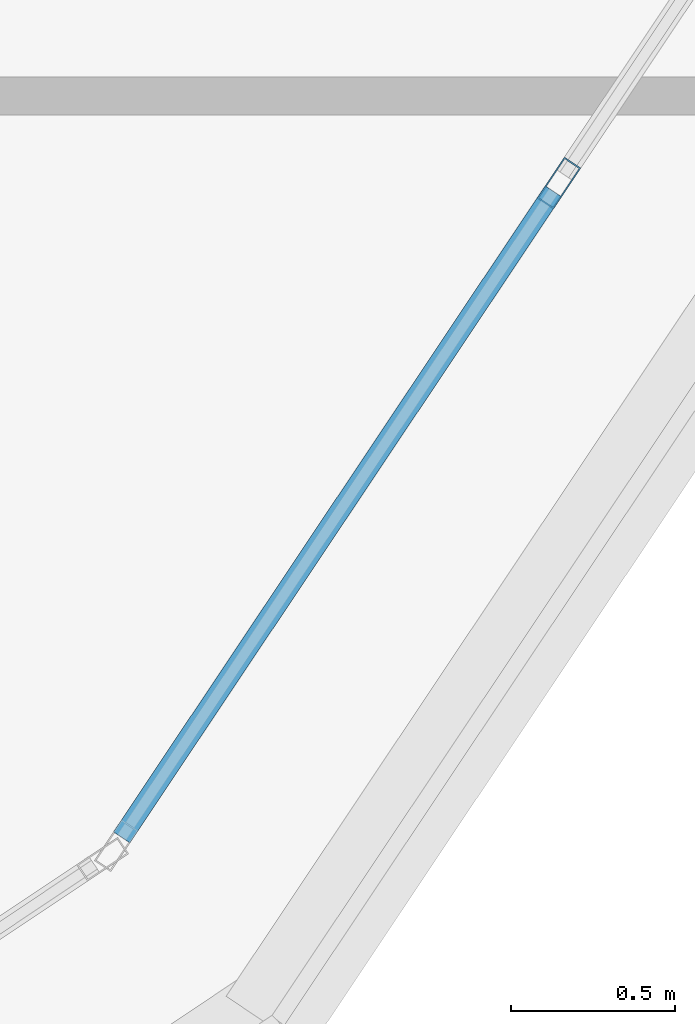
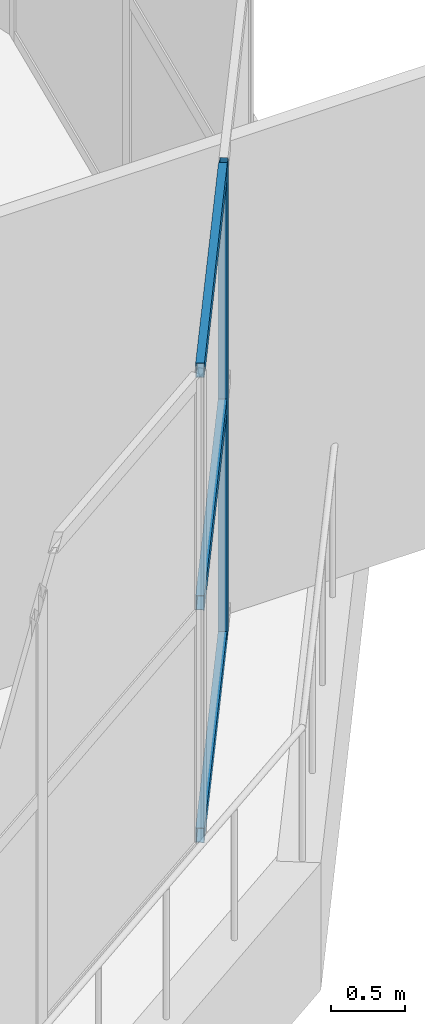
# One storey, part 30 of 57: 4 members, 1 element without a shape of its own.
"""IFC4 building model written with IfcOpenShell, lengths in metres."""

from ifc_helpers import new_model, si_unit, direction, frame, origin, origin_2d, place, context, subcontext, project, spatial, hollow_rectangle, extrude, material, layer, layer_set, material_profile, profile_set, type_object, element, aggregate, save


model = new_model("IFC4")

# Units and contexts
model_context = context("Model", 3, precision=1e-05, world=origin(), true_north=direction((0.0, 1.0)))
body_context = subcontext(model_context, "Body", "Model", "MODEL_VIEW")
ifc_project = project(units=[si_unit("LENGTHUNIT", "METRE"), si_unit("AREAUNIT", "SQUARE_METRE"), si_unit("VOLUMEUNIT", "CUBIC_METRE"), si_unit("PLANEANGLEUNIT", "RADIAN"), si_unit("MASSUNIT", "GRAM", prefix="KILO")], contexts=[model_context])

# Site, building, storey
site_placement = place(None, origin())
site = spatial("IfcSite", under=ifc_project, at=site_placement, CompositionType="ELEMENT")
building_placement = place(site_placement, origin())
building = spatial("IfcBuilding", under=site, at=building_placement, Name="Zizhar Promenade General Hospital", CompositionType="ELEMENT")
storey_placement = place(building_placement, frame((0.0, 0.0, 22.199951171875)))
storey = spatial("IfcBuildingStorey", under=building, at=storey_placement, Name="L05", CompositionType="ELEMENT", Elevation=22.199951171875)

# Curtain wall, members
ifc_material_1 = material(Name="Anodised aluminium 6063-T6 and low-E glass", Category="aluminium")
ifc_layer = layer(ifc_material_1, 0.159912109375)
ifc_layer_set = layer_set([ifc_layer], Name="Anodised aluminium 6063-T6 and low-E glass")
curtain_wall_type = type_object("IfcCurtainWallType", Name="CW-WARD-ARC", PredefinedType="NOTDEFINED", material=ifc_layer_set)
curtain_wall_placement = place(storey_placement, origin())
curtain_wall = element("IfcCurtainWall", 1, at=curtain_wall_placement, inside=storey, type_object=curtain_wall_type, Name="Ward Semicircular End Glazing L05-03", PredefinedType="NOTDEFINED")
ifc_material_2 = material(Name="Anodised aluminium 6063-T6", Category="aluminium")
ifc_material_profile_1 = material_profile(ifc_material_2, hollow_rectangle(XDim=0.06005859375, YDim=0.14990234375, WallThickness=0.00390625, at=origin_2d()))
ifc_profile_set_1 = profile_set([ifc_material_profile_1], Name="Anodised aluminium 6063-T6")
member_type_1 = type_object("IfcMemberType", Name="CWM-ALU-150x60", PredefinedType="MULLION", material=ifc_profile_set_1)
member_1_placement = place(storey_placement, frame((128.67529296875, 5.734375, 0.0), z_axis=(0.0, 0.0, 1.0), x_axis=(0.831461514468, -0.555582352095, 0.0)))
member_1 = element("IfcMember", 2, at=member_1_placement, type_object=member_type_1, Name="CW-12 mullion 2", PredefinedType="MULLION", context=body_context, shape_type="SweptSolid", body=[
    extrude(hollow_rectangle(XDim=0.06005859375, YDim=0.14990234375, WallThickness=0.00390625, at=origin_2d()), origin(), (0.0, 0.0, 1.0), 3.900146484375),
])
ifc_material_3 = material(Name="Anodised aluminium 6063-T6", Category="aluminium")
ifc_material_profile_2 = material_profile(ifc_material_3, hollow_rectangle(XDim=0.06005859375, YDim=0.1201171875, WallThickness=0.00390625, at=origin_2d()))
ifc_profile_set_2 = profile_set([ifc_material_profile_2], Name="Anodised aluminium 6063-T6")
member_type_2 = type_object("IfcMemberType", Name="CWT-ALU-120x60", PredefinedType="USERDEFINED", material=ifc_profile_set_2)
member_2_placement = place(storey_placement, frame((128.658447265625, 5.70947265625, 0.030029296875), z_axis=(-0.555580160396, -0.831462978956, 0.0), x_axis=(0.831462978956, -0.555580160396, 0.0)))
member_2 = element("IfcMember", 3, at=member_2_placement, type_object=member_type_2, Name="CW-12 transom 2.1", ObjectType="TRANSOM", PredefinedType="USERDEFINED", context=body_context, shape_type="SweptSolid", body=[
    extrude(hollow_rectangle(XDim=0.06005859375, YDim=0.1201171875, WallThickness=0.00390625, at=origin_2d()), origin(), (0.0, 0.0, 1.0), 2.3681640625),
])
member_3_placement = place(storey_placement, frame((128.658447265625, 5.70947265625, 1.949951171875), z_axis=(-0.555580160396, -0.831462978956, 0.0), x_axis=(0.831462978956, -0.555580160396, 0.0)))
member_3 = element("IfcMember", 4, at=member_3_placement, type_object=member_type_2, Name="CW-12 transom 2.2", ObjectType="TRANSOM", PredefinedType="USERDEFINED", context=body_context, shape_type="SweptSolid", body=[
    extrude(hollow_rectangle(XDim=0.06005859375, YDim=0.1201171875, WallThickness=0.00390625, at=origin_2d()), origin(), (0.0, 0.0, 1.0), 2.3681640625),
])
member_4_placement = place(storey_placement, frame((128.658447265625, 5.70947265625, 3.8701171875), z_axis=(-0.555580160396, -0.831462978956, 0.0), x_axis=(0.831462978956, -0.555580160396, 0.0)))
member_4 = element("IfcMember", 5, at=member_4_placement, type_object=member_type_2, Name="CW-12 transom 2.3", ObjectType="TRANSOM", PredefinedType="USERDEFINED", context=body_context, shape_type="SweptSolid", body=[
    extrude(hollow_rectangle(XDim=0.06005859375, YDim=0.1201171875, WallThickness=0.00390625, at=origin_2d()), origin(), (0.0, 0.0, 1.0), 2.3681640625),
])
aggregate(curtain_wall, [member_1, member_2, member_3, member_4])

save(model, "model.ifc")
